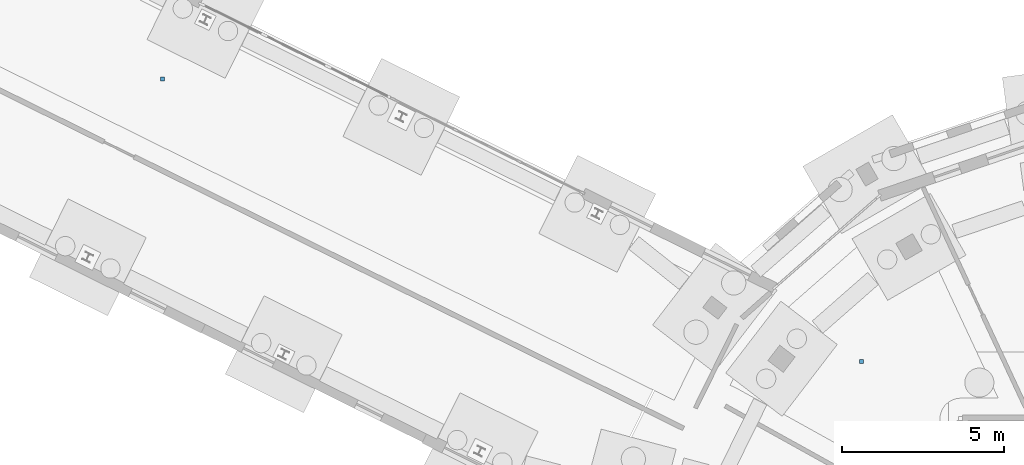
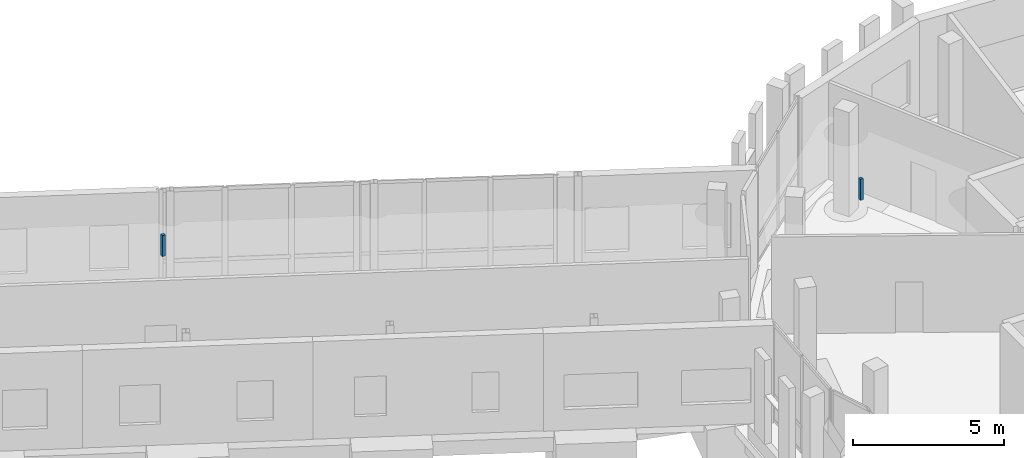
# One storey, part 106 of 113: 2 discrete accessories.
"""IFC4 building model written with IfcOpenShell, lengths in metres."""

from ifc_helpers import new_model, si_unit, direction, frame, origin, origin_2d, place, context, subcontext, project, spatial, rectangle, extrude, material, type_object, element, save


model = new_model("IFC4")

# Units and contexts
model_context = context("Model", 3, precision=1e-05, world=origin(), true_north=direction((0.0, 1.0)))
body_context = subcontext(model_context, "Body", "Model", "MODEL_VIEW")
ifc_project = project(units=[si_unit("LENGTHUNIT", "METRE"), si_unit("AREAUNIT", "SQUARE_METRE"), si_unit("VOLUMEUNIT", "CUBIC_METRE"), si_unit("PLANEANGLEUNIT", "RADIAN"), si_unit("MASSUNIT", "GRAM", prefix="KILO")], contexts=[model_context])

# Site, building, storey
site_placement = place(None, origin())
site = spatial("IfcSite", under=ifc_project, at=site_placement, CompositionType="ELEMENT")
building_placement = place(site_placement, origin())
building = spatial("IfcBuilding", under=site, at=building_placement, Name="Wrenclough Park School", CompositionType="ELEMENT")
storey_placement = place(building_placement, origin())
storey = spatial("IfcBuildingStorey", under=building, at=storey_placement, Name="L00", CompositionType="ELEMENT", Elevation=0.0)

# Discrete accessories
ifc_material = material(Name="Galvanised steel acoustic ceiling suspension hanger", Category="steel")
discrete_accessory_type = type_object("IfcDiscreteAccessoryType", Name="INT-BRK-HGR", PredefinedType="BRACKET", material=ifc_material)
for number, where, z_axis, x_axis, name in (
    (1, (166.3037109375, 101.604736328125, 3.08984375), (0.0, 0.0, 1.0), (1.0, 0.0, 0.0), "Acoustic ceiling hanger bracket 0012"),
    (2, (144.67919921875, 110.33740234375, 3.08984375), (0.0, 0.0, 1.0), (1.0, 0.0, 0.0), "Acoustic ceiling hanger bracket 0018"),
):
    element("IfcDiscreteAccessory", number, at=place(storey_placement, frame(where, z_axis=z_axis, x_axis=x_axis)), inside=storey, type_object=discrete_accessory_type, Name=name, PredefinedType="BRACKET", context=body_context, shape_type="SweptSolid", body=[
        extrude(rectangle(XDim=0.1201171875, YDim=0.1201171875, at=origin_2d()), origin(), (0.0, 0.0, 1.0), 0.85009765625),
    ])

save(model, "model.ifc")
